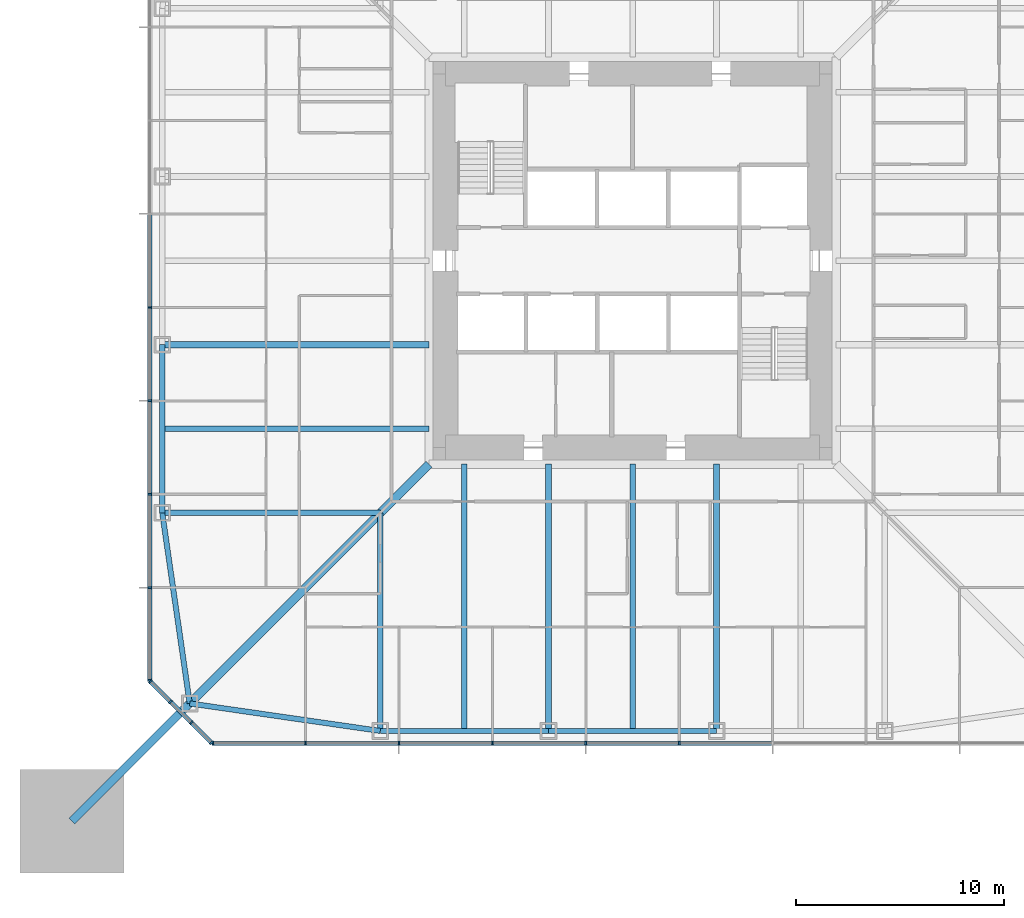
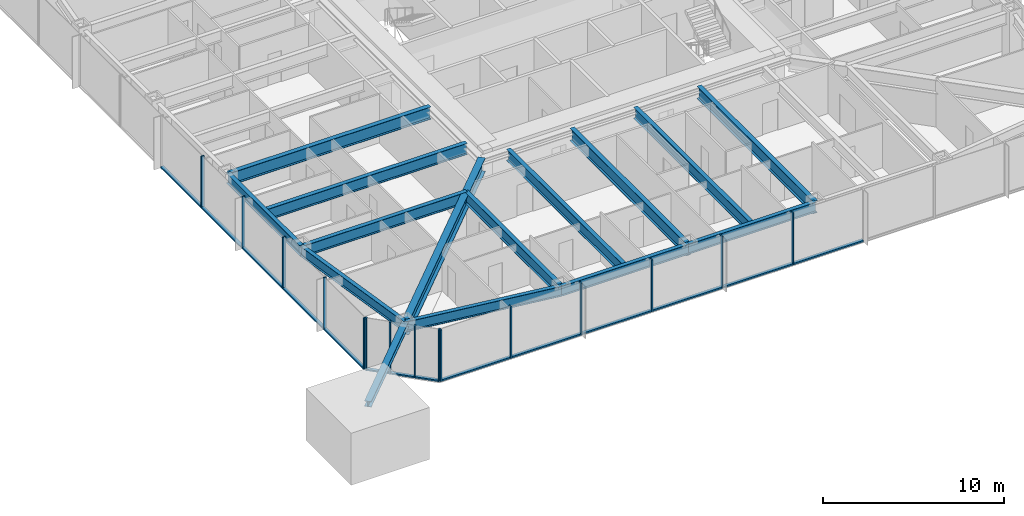
# One storey, part 3 of 26: 30 members, 14 beams, 3 elements without a shape of their own.
"""IFC4 building model written with IfcOpenShell, lengths in metres."""

from ifc_helpers import new_model, si_unit, direction, frame, origin, origin_2d, place, context, subcontext, project, spatial, rectangle, i_section, extrude, material, material_profile, profile_set, type_object, element, aggregate, save


model = new_model("IFC4")

# Units and contexts
model_context = context("Model", 3, precision=1e-05, world=origin(), true_north=direction((0.0, 1.0)))
body_context = subcontext(model_context, "Body", "Model", "MODEL_VIEW")
ifc_project = project(units=[si_unit("LENGTHUNIT", "METRE"), si_unit("AREAUNIT", "SQUARE_METRE"), si_unit("VOLUMEUNIT", "CUBIC_METRE"), si_unit("PLANEANGLEUNIT", "RADIAN"), si_unit("MASSUNIT", "GRAM", prefix="KILO")], contexts=[model_context])

# Site, building, storey
site_placement = place(None, origin())
site = spatial("IfcSite", under=ifc_project, at=site_placement, CompositionType="ELEMENT")
building_placement = place(site_placement, origin())
building = spatial("IfcBuilding", under=site, at=building_placement, Name="Iwan Alto Co-Living Towers", CompositionType="ELEMENT")
storey_placement = place(building_placement, frame((0.0, 0.0, 36.0)))
storey = spatial("IfcBuildingStorey", under=building, at=storey_placement, Name="L09", CompositionType="ELEMENT", Elevation=36.0)

# Curtain wall, members
ifc_material_1 = material(Name="Bronze aluminium unitised frame", Category="aluminium")
curtain_wall_type_1 = type_object("IfcCurtainWallType", Name="CURTAIN WALL CW-A", PredefinedType="NOTDEFINED", material=ifc_material_1)
curtain_wall_1_placement = place(storey_placement, origin())
curtain_wall_1 = element("IfcCurtainWall", 1, at=curtain_wall_1_placement, inside=storey, type_object=curtain_wall_type_1, Name="T1 curtain wall S L09", PredefinedType="NOTDEFINED")
ifc_material_2 = material(Name="Aluminium 6063-T6 bronze anodised", Category="aluminium")
ifc_material_profile_1 = material_profile(ifc_material_2, rectangle(XDim=0.199951171875, YDim=0.080078125, at=origin_2d()), Name="AL 80X200")
ifc_profile_set_1 = profile_set([ifc_material_profile_1], Name="Aluminium 6063-T6 bronze anodised")
member_type_1 = type_object("IfcMemberType", Name="CW-A MULLION 80X200", PredefinedType="MULLION", material=ifc_profile_set_1)
member_1_placement = place(storey_placement, frame((-20.2099609375, -23.25, 0.0), z_axis=(0.0, 0.0, 1.0), x_axis=(0.0, 1.0, 0.0)))
member_1 = element("IfcMember", 2, at=member_1_placement, type_object=member_type_1, Name="CW-A mullion 1", PredefinedType="MULLION", context=body_context, shape_type="SweptSolid", body=[
    extrude(rectangle(XDim=0.199951171875, YDim=0.080078125, at=origin_2d()), origin(), (0.0, 0.0, 1.0), 3.5),
])
member_2_placement = place(storey_placement, frame((-15.75, -23.25, 0.0), z_axis=(0.0, 0.0, 1.0), x_axis=(0.0, 1.0, 0.0)))
member_2 = element("IfcMember", 3, at=member_2_placement, type_object=member_type_1, Name="CW-A mullion 2", PredefinedType="MULLION", context=body_context, shape_type="SweptSolid", body=[
    extrude(rectangle(XDim=0.199951171875, YDim=0.080078125, at=origin_2d()), origin(), (0.0, 0.0, 1.0), 3.5),
])
member_3_placement = place(storey_placement, frame((-11.25, -23.25, 0.0), z_axis=(0.0, 0.0, 1.0), x_axis=(0.0, 1.0, 0.0)))
member_3 = element("IfcMember", 4, at=member_3_placement, type_object=member_type_1, Name="CW-A mullion 3", PredefinedType="MULLION", context=body_context, shape_type="SweptSolid", body=[
    extrude(rectangle(XDim=0.199951171875, YDim=0.080078125, at=origin_2d()), origin(), (0.0, 0.0, 1.0), 3.5),
])
member_4_placement = place(storey_placement, frame((-6.75, -23.25, 0.0), z_axis=(0.0, 0.0, 1.0), x_axis=(0.0, 1.0, 0.0)))
member_4 = element("IfcMember", 5, at=member_4_placement, type_object=member_type_1, Name="CW-A mullion 4", PredefinedType="MULLION", context=body_context, shape_type="SweptSolid", body=[
    extrude(rectangle(XDim=0.199951171875, YDim=0.080078125, at=origin_2d()), origin(), (0.0, 0.0, 1.0), 3.5),
])
member_5_placement = place(storey_placement, frame((-2.25, -23.25, 0.0), z_axis=(0.0, 0.0, 1.0), x_axis=(0.0, 1.0, 0.0)))
member_5 = element("IfcMember", 6, at=member_5_placement, type_object=member_type_1, Name="CW-A mullion 5", PredefinedType="MULLION", context=body_context, shape_type="SweptSolid", body=[
    extrude(rectangle(XDim=0.199951171875, YDim=0.080078125, at=origin_2d()), origin(), (0.0, 0.0, 1.0), 3.5),
])
member_6_placement = place(storey_placement, frame((2.25, -23.25, 0.0), z_axis=(0.0, 0.0, 1.0), x_axis=(0.0, 1.0, 0.0)))
member_6 = element("IfcMember", 7, at=member_6_placement, type_object=member_type_1, Name="CW-A mullion 6", PredefinedType="MULLION", context=body_context, shape_type="SweptSolid", body=[
    extrude(rectangle(XDim=0.199951171875, YDim=0.080078125, at=origin_2d()), origin(), (0.0, 0.0, 1.0), 3.5),
])

curtain_wall_2_placement = place(storey_placement, origin())
curtain_wall_2 = element("IfcCurtainWall", 8, at=curtain_wall_2_placement, inside=storey, type_object=curtain_wall_type_1, Name="T1 curtain wall W L09", PredefinedType="NOTDEFINED")
member_7_placement = place(storey_placement, frame((-23.25, -2.25, 0.0), z_axis=(0.0, 0.0, 1.0), x_axis=(1.0, 0.0, 0.0)))
member_7 = element("IfcMember", 9, at=member_7_placement, type_object=member_type_1, Name="CW-A mullion 6", PredefinedType="MULLION", context=body_context, shape_type="SweptSolid", body=[
    extrude(rectangle(XDim=0.199951171875, YDim=0.080078125, at=origin_2d()), origin(), (0.0, 0.0, 1.0), 3.5),
])
member_8_placement = place(storey_placement, frame((-23.25, -6.75, 0.0), z_axis=(0.0, 0.0, 1.0), x_axis=(1.0, 0.0, 0.0)))
member_8 = element("IfcMember", 10, at=member_8_placement, type_object=member_type_1, Name="CW-A mullion 7", PredefinedType="MULLION", context=body_context, shape_type="SweptSolid", body=[
    extrude(rectangle(XDim=0.199951171875, YDim=0.080078125, at=origin_2d()), origin(), (0.0, 0.0, 1.0), 3.5),
])
member_9_placement = place(storey_placement, frame((-23.25, -11.25, 0.0), z_axis=(0.0, 0.0, 1.0), x_axis=(1.0, 0.0, 0.0)))
member_9 = element("IfcMember", 11, at=member_9_placement, type_object=member_type_1, Name="CW-A mullion 8", PredefinedType="MULLION", context=body_context, shape_type="SweptSolid", body=[
    extrude(rectangle(XDim=0.199951171875, YDim=0.080078125, at=origin_2d()), origin(), (0.0, 0.0, 1.0), 3.5),
])
member_10_placement = place(storey_placement, frame((-23.25, -15.75, 0.0), z_axis=(0.0, 0.0, 1.0), x_axis=(1.0, 0.0, 0.0)))
member_10 = element("IfcMember", 12, at=member_10_placement, type_object=member_type_1, Name="CW-A mullion 9", PredefinedType="MULLION", context=body_context, shape_type="SweptSolid", body=[
    extrude(rectangle(XDim=0.199951171875, YDim=0.080078125, at=origin_2d()), origin(), (0.0, 0.0, 1.0), 3.5),
])
member_11_placement = place(storey_placement, frame((-23.25, -20.2099609375, 0.0), z_axis=(0.0, 0.0, 1.0), x_axis=(1.0, 0.0, 0.0)))
member_11 = element("IfcMember", 13, at=member_11_placement, type_object=member_type_1, Name="CW-A mullion 10", PredefinedType="MULLION", context=body_context, shape_type="SweptSolid", body=[
    extrude(rectangle(XDim=0.199951171875, YDim=0.080078125, at=origin_2d()), origin(), (0.0, 0.0, 1.0), 3.5),
])

# Member
ifc_material_3 = material(Name="Aluminium 6063-T6 bronze anodised", Category="aluminium")
ifc_material_profile_2 = material_profile(ifc_material_3, rectangle(XDim=0.199951171875, YDim=0.10009765625, at=origin_2d()), Name="AL 200X100")
ifc_profile_set_2 = profile_set([ifc_material_profile_2], Name="Aluminium 6063-T6 bronze anodised")
member_type_2 = type_object("IfcMemberType", Name="CW-A TRANSOM 200X100", PredefinedType="USERDEFINED", material=ifc_profile_set_2)
member_12_placement = place(storey_placement, frame((-20.169921875, -23.25, 0.050048828125), z_axis=(1.0, 0.0, 0.0), x_axis=(0.0, 1.0, 0.0)))
member_12 = element("IfcMember", 14, at=member_12_placement, type_object=member_type_2, Name="CW-A transom 1.1", ObjectType="TRANSOM", PredefinedType="USERDEFINED", context=body_context, shape_type="SweptSolid", body=[
    extrude(rectangle(XDim=0.199951171875, YDim=0.10009765625, at=origin_2d()), origin(), (0.0, 0.0, 1.0), 4.3798828125),
])

member_13_placement = place(storey_placement, frame((-15.7099609375, -23.25, 0.050048828125), z_axis=(1.0, 0.0, 0.0), x_axis=(0.0, 1.0, 0.0)))
member_13 = element("IfcMember", 15, at=member_13_placement, type_object=member_type_2, Name="CW-A transom 2.1", ObjectType="TRANSOM", PredefinedType="USERDEFINED", context=body_context, shape_type="SweptSolid", body=[
    extrude(rectangle(XDim=0.199951171875, YDim=0.10009765625, at=origin_2d()), origin(), (0.0, 0.0, 1.0), 4.419921875),
])

member_14_placement = place(storey_placement, frame((-11.2099609375, -23.25, 0.050048828125), z_axis=(1.0, 0.0, 0.0), x_axis=(0.0, 1.0, 0.0)))
member_14 = element("IfcMember", 16, at=member_14_placement, type_object=member_type_2, Name="CW-A transom 3.1", ObjectType="TRANSOM", PredefinedType="USERDEFINED", context=body_context, shape_type="SweptSolid", body=[
    extrude(rectangle(XDim=0.199951171875, YDim=0.10009765625, at=origin_2d()), origin(), (0.0, 0.0, 1.0), 4.419921875),
])

member_15_placement = place(storey_placement, frame((-6.7099609375, -23.25, 0.050048828125), z_axis=(1.0, 0.0, 0.0), x_axis=(0.0, 1.0, 0.0)))
member_15 = element("IfcMember", 17, at=member_15_placement, type_object=member_type_2, Name="CW-A transom 4.1", ObjectType="TRANSOM", PredefinedType="USERDEFINED", context=body_context, shape_type="SweptSolid", body=[
    extrude(rectangle(XDim=0.199951171875, YDim=0.10009765625, at=origin_2d()), origin(), (0.0, 0.0, 1.0), 4.419921875),
])

member_16_placement = place(storey_placement, frame((-2.2099609375, -23.25, 0.050048828125), z_axis=(1.0, 0.0, 0.0), x_axis=(0.0, 1.0, 0.0)))
member_16 = element("IfcMember", 18, at=member_16_placement, type_object=member_type_2, Name="CW-A transom 5.1", ObjectType="TRANSOM", PredefinedType="USERDEFINED", context=body_context, shape_type="SweptSolid", body=[
    extrude(rectangle(XDim=0.199951171875, YDim=0.10009765625, at=origin_2d()), origin(), (0.0, 0.0, 1.0), 4.419921875),
])

member_17_placement = place(storey_placement, frame((2.2900390625, -23.25, 0.050048828125), z_axis=(1.0, 0.0, 0.0), x_axis=(0.0, 1.0, 0.0)))
member_17 = element("IfcMember", 19, at=member_17_placement, type_object=member_type_2, Name="CW-A transom 6.1", ObjectType="TRANSOM", PredefinedType="USERDEFINED", context=body_context, shape_type="SweptSolid", body=[
    extrude(rectangle(XDim=0.199951171875, YDim=0.10009765625, at=origin_2d()), origin(), (0.0, 0.0, 1.0), 4.419921875),
])

aggregate(curtain_wall_1, [member_1, member_2, member_3, member_4, member_5, member_6, member_12, member_13, member_14, member_15, member_16, member_17])

member_18_placement = place(storey_placement, frame((-23.25, 2.2099609375, 0.050048828125), z_axis=(0.0, -1.0, 0.0), x_axis=(1.0, 0.0, 0.0)))
member_18 = element("IfcMember", 20, at=member_18_placement, type_object=member_type_2, Name="CW-A transom 5.1", ObjectType="TRANSOM", PredefinedType="USERDEFINED", context=body_context, shape_type="SweptSolid", body=[
    extrude(rectangle(XDim=0.199951171875, YDim=0.10009765625, at=origin_2d()), origin(), (0.0, 0.0, 1.0), 4.419921875),
])

member_19_placement = place(storey_placement, frame((-23.25, -2.2900390625, 0.050048828125), z_axis=(0.0, -1.0, 0.0), x_axis=(1.0, 0.0, 0.0)))
member_19 = element("IfcMember", 21, at=member_19_placement, type_object=member_type_2, Name="CW-A transom 6.1", ObjectType="TRANSOM", PredefinedType="USERDEFINED", context=body_context, shape_type="SweptSolid", body=[
    extrude(rectangle(XDim=0.199951171875, YDim=0.10009765625, at=origin_2d()), origin(), (0.0, 0.0, 1.0), 4.419921875),
])

member_20_placement = place(storey_placement, frame((-23.25, -6.7900390625, 0.050048828125), z_axis=(0.0, -1.0, 0.0), x_axis=(1.0, 0.0, 0.0)))
member_20 = element("IfcMember", 22, at=member_20_placement, type_object=member_type_2, Name="CW-A transom 7.1", ObjectType="TRANSOM", PredefinedType="USERDEFINED", context=body_context, shape_type="SweptSolid", body=[
    extrude(rectangle(XDim=0.199951171875, YDim=0.10009765625, at=origin_2d()), origin(), (0.0, 0.0, 1.0), 4.419921875),
])

member_21_placement = place(storey_placement, frame((-23.25, -11.2900390625, 0.050048828125), z_axis=(0.0, -1.0, 0.0), x_axis=(1.0, 0.0, 0.0)))
member_21 = element("IfcMember", 23, at=member_21_placement, type_object=member_type_2, Name="CW-A transom 8.1", ObjectType="TRANSOM", PredefinedType="USERDEFINED", context=body_context, shape_type="SweptSolid", body=[
    extrude(rectangle(XDim=0.199951171875, YDim=0.10009765625, at=origin_2d()), origin(), (0.0, 0.0, 1.0), 4.419921875),
])

member_22_placement = place(storey_placement, frame((-23.25, -15.7900390625, 0.050048828125), z_axis=(0.0, -1.0, 0.0), x_axis=(1.0, 0.0, 0.0)))
member_22 = element("IfcMember", 24, at=member_22_placement, type_object=member_type_2, Name="CW-A transom 9.1", ObjectType="TRANSOM", PredefinedType="USERDEFINED", context=body_context, shape_type="SweptSolid", body=[
    extrude(rectangle(XDim=0.199951171875, YDim=0.10009765625, at=origin_2d()), origin(), (0.0, 0.0, 1.0), 4.3798828125),
])

aggregate(curtain_wall_2, [member_7, member_8, member_9, member_10, member_11, member_18, member_19, member_20, member_21, member_22])

# Curtain wall, members
ifc_material_4 = material(Name="Bronze aluminium unitised frame", Category="aluminium")
curtain_wall_type_2 = type_object("IfcCurtainWallType", Name="CURTAIN WALL CW-B", PredefinedType="NOTDEFINED", material=ifc_material_4)
curtain_wall_3_placement = place(storey_placement, origin())
curtain_wall_3 = element("IfcCurtainWall", 25, at=curtain_wall_3_placement, inside=storey, type_object=curtain_wall_type_2, Name="T1 chamfer curtain wall SW L09", PredefinedType="NOTDEFINED")
ifc_material_5 = material(Name="Aluminium 6063-T6 bronze anodised", Category="aluminium")
ifc_material_profile_3 = material_profile(ifc_material_5, rectangle(XDim=0.199951171875, YDim=0.080078125, at=origin_2d()), Name="AL 80X200")
ifc_profile_set_3 = profile_set([ifc_material_profile_3], Name="Aluminium 6063-T6 bronze anodised")
member_type_3 = type_object("IfcMemberType", Name="CW-B MULLION 80X200", PredefinedType="MULLION", material=ifc_profile_set_3)
member_23_placement = place(storey_placement, frame((-23.2216796875, -20.2783203125, 0.0), z_axis=(0.0, 0.0, 1.0), x_axis=(0.707106781187, 0.707106781187, 0.0)))
member_23 = element("IfcMember", 26, at=member_23_placement, type_object=member_type_3, Name="CW-B mullion 1", PredefinedType="MULLION", context=body_context, shape_type="SweptSolid", body=[
    extrude(rectangle(XDim=0.199951171875, YDim=0.080078125, at=origin_2d()), origin(), (0.0, 0.0, 1.0), 3.5),
])
member_24_placement = place(storey_placement, frame((-22.25, -21.25, 0.0), z_axis=(0.0, 0.0, 1.0), x_axis=(0.707106781187, 0.707106781187, 0.0)))
member_24 = element("IfcMember", 27, at=member_24_placement, type_object=member_type_3, Name="CW-B mullion 2", PredefinedType="MULLION", context=body_context, shape_type="SweptSolid", body=[
    extrude(rectangle(XDim=0.199951171875, YDim=0.080078125, at=origin_2d()), origin(), (0.0, 0.0, 1.0), 3.5),
])
member_25_placement = place(storey_placement, frame((-21.25, -22.25, 0.0), z_axis=(0.0, 0.0, 1.0), x_axis=(0.707106781187, 0.707106781187, 0.0)))
member_25 = element("IfcMember", 28, at=member_25_placement, type_object=member_type_3, Name="CW-B mullion 3", PredefinedType="MULLION", context=body_context, shape_type="SweptSolid", body=[
    extrude(rectangle(XDim=0.199951171875, YDim=0.080078125, at=origin_2d()), origin(), (0.0, 0.0, 1.0), 3.5),
])
member_26_placement = place(storey_placement, frame((-20.2783203125, -23.2216796875, 0.0), z_axis=(0.0, 0.0, 1.0), x_axis=(0.707106781187, 0.707106781187, 0.0)))
member_26 = element("IfcMember", 29, at=member_26_placement, type_object=member_type_3, Name="CW-B mullion 4", PredefinedType="MULLION", context=body_context, shape_type="SweptSolid", body=[
    extrude(rectangle(XDim=0.199951171875, YDim=0.080078125, at=origin_2d()), origin(), (0.0, 0.0, 1.0), 3.5),
])
ifc_material_6 = material(Name="Aluminium 6063-T6 bronze anodised", Category="aluminium")
ifc_material_profile_4 = material_profile(ifc_material_6, rectangle(XDim=0.199951171875, YDim=0.10009765625, at=origin_2d()), Name="AL 200X100")
ifc_profile_set_4 = profile_set([ifc_material_profile_4], Name="Aluminium 6063-T6 bronze anodised")
member_type_4 = type_object("IfcMemberType", Name="CW-B TRANSOM 200X100", PredefinedType="USERDEFINED", material=ifc_profile_set_4)
member_27_placement = place(storey_placement, frame((-23.193359375, -20.306640625, 0.050048828125), z_axis=(0.707106781187, -0.707106781187, 0.0), x_axis=(0.707106781187, 0.707106781187, 0.0)))
member_27 = element("IfcMember", 30, at=member_27_placement, type_object=member_type_4, Name="CW-B transom 1.1", ObjectType="TRANSOM", PredefinedType="USERDEFINED", context=body_context, shape_type="SweptSolid", body=[
    extrude(rectangle(XDim=0.199951171875, YDim=0.10009765625, at=origin_2d()), origin(), (0.0, 0.0, 1.0), 1.2939453125),
])
member_28_placement = place(storey_placement, frame((-22.2216796875, -21.2783203125, 0.050048828125), z_axis=(0.707106781187, -0.707106781187, 0.0), x_axis=(0.707106781187, 0.707106781187, 0.0)))
member_28 = element("IfcMember", 31, at=member_28_placement, type_object=member_type_4, Name="CW-B transom 2.1", ObjectType="TRANSOM", PredefinedType="USERDEFINED", context=body_context, shape_type="SweptSolid", body=[
    extrude(rectangle(XDim=0.199951171875, YDim=0.10009765625, at=origin_2d()), origin(), (0.0, 0.0, 1.0), 1.334228515625),
])
member_29_placement = place(storey_placement, frame((-21.2216796875, -22.2783203125, 0.050048828125), z_axis=(0.707106781187, -0.707106781187, 0.0), x_axis=(0.707106781187, 0.707106781187, 0.0)))
member_29 = element("IfcMember", 32, at=member_29_placement, type_object=member_type_4, Name="CW-B transom 3.1", ObjectType="TRANSOM", PredefinedType="USERDEFINED", context=body_context, shape_type="SweptSolid", body=[
    extrude(rectangle(XDim=0.199951171875, YDim=0.10009765625, at=origin_2d()), origin(), (0.0, 0.0, 1.0), 1.2939453125),
])
aggregate(curtain_wall_3, [member_23, member_24, member_25, member_26, member_27, member_28, member_29])

# Beams
ifc_material_7 = material(Name="Steel ASTM A992 Gr 50", Category="steel")
ifc_material_profile_5 = material_profile(ifc_material_7, i_section(OverallWidth=0.419189453125, OverallDepth=0.927001953125, WebThickness=0.019287109375, FlangeThickness=0.031982421875, at=origin_2d()), Name="W36X231")
ifc_profile_set_5 = profile_set([ifc_material_profile_5], Name="Steel ASTM A992 Gr 50")
beam_type_1 = type_object("IfcBeamType", Name="T1 CORNER GIRDER W36X231", PredefinedType="BEAM", material=ifc_profile_set_5)
beam_1_placement = place(storey_placement, frame((-21.32568359375, -21.32568359375, 2.806396484375), z_axis=(0.707106781187, 0.707106781187, 0.0), x_axis=(-0.707106781187, 0.707106781187, 0.0)))
element("IfcBeam", 33, at=beam_1_placement, inside=storey, type_object=beam_type_1, Name="T1 corner girder CSW L10", PredefinedType="BEAM", context=body_context, shape_type="SweptSolid", body=[
    extrude(i_section(OverallWidth=0.419189453125, OverallDepth=0.927001953125, WebThickness=0.019287109375, FlangeThickness=0.031982421875, at=origin_2d()), origin(), (0.0, 0.0, 1.0), 16.296875),
])
ifc_material_8 = material(Name="Steel ASTM A992 Gr 50", Category="steel")
ifc_material_profile_6 = material_profile(ifc_material_8, i_section(OverallWidth=0.25390625, OverallDepth=0.683349609375, WebThickness=0.012451171875, FlangeThickness=0.018798828125, at=origin_2d()), Name="W27X94")
ifc_profile_set_6 = profile_set([ifc_material_profile_6], Name="Steel ASTM A992 Gr 50")
beam_type_2 = type_object("IfcBeamType", Name="T1 EDGE BEAM W27X94", PredefinedType="BEAM", material=ifc_profile_set_6)
beam_2_placement = place(storey_placement, frame((-21.32568359375, -21.32568359375, 2.928466796875), z_axis=(0.989746234347, -0.142836940589, 0.0), x_axis=(0.142836940589, 0.989746234347, 0.0)))
element("IfcBeam", 34, at=beam_2_placement, inside=storey, type_object=beam_type_2, Name="T1 edge beam CSW L10", PredefinedType="BEAM", context=body_context, shape_type="SweptSolid", body=[
    extrude(i_section(OverallWidth=0.25390625, OverallDepth=0.683349609375, WebThickness=0.012451171875, FlangeThickness=0.018798828125, at=origin_2d()), origin(), (0.0, 0.0, 1.0), 9.270751953125),
])
beam_3_placement = place(storey_placement, frame((-12.14990234375, -22.64990234375, 2.928466796875), z_axis=(1.0, 0.0, 0.0), x_axis=(0.0, 1.0, 0.0)))
element("IfcBeam", 35, at=beam_3_placement, inside=storey, type_object=beam_type_2, Name="T1 edge beam S1 L10", PredefinedType="BEAM", context=body_context, shape_type="SweptSolid", body=[
    extrude(i_section(OverallWidth=0.25390625, OverallDepth=0.683349609375, WebThickness=0.012451171875, FlangeThickness=0.018798828125, at=origin_2d()), origin(), (0.0, 0.0, 1.0), 8.099853515625),
])
beam_4_placement = place(storey_placement, frame((-4.050048828125, -22.64990234375, 2.928466796875), z_axis=(1.0, 0.0, 0.0), x_axis=(0.0, 1.0, 0.0)))
element("IfcBeam", 36, at=beam_4_placement, inside=storey, type_object=beam_type_2, Name="T1 edge beam S2 L10", PredefinedType="BEAM", context=body_context, shape_type="SweptSolid", body=[
    extrude(i_section(OverallWidth=0.25390625, OverallDepth=0.683349609375, WebThickness=0.012451171875, FlangeThickness=0.018798828125, at=origin_2d()), origin(), (0.0, 0.0, 1.0), 8.10009765625),
])
beam_5_placement = place(storey_placement, frame((-22.64990234375, -4.050048828125, 2.928466796875), z_axis=(0.0, -1.0, 0.0), x_axis=(1.0, 0.0, 0.0)))
element("IfcBeam", 37, at=beam_5_placement, inside=storey, type_object=beam_type_2, Name="T1 edge beam W3 L10", PredefinedType="BEAM", context=body_context, shape_type="SweptSolid", body=[
    extrude(i_section(OverallWidth=0.25390625, OverallDepth=0.683349609375, WebThickness=0.012451171875, FlangeThickness=0.018798828125, at=origin_2d()), origin(), (0.0, 0.0, 1.0), 8.099853515625),
])
beam_6_placement = place(storey_placement, frame((-22.64990234375, -12.14990234375, 2.928466796875), z_axis=(0.142836940589, -0.989746234347, 0.0), x_axis=(0.989746234347, 0.142836940589, 0.0)))
element("IfcBeam", 38, at=beam_6_placement, inside=storey, type_object=beam_type_2, Name="T1 edge beam W4 L10", PredefinedType="BEAM", context=body_context, shape_type="SweptSolid", body=[
    extrude(i_section(OverallWidth=0.25390625, OverallDepth=0.683349609375, WebThickness=0.012451171875, FlangeThickness=0.018798828125, at=origin_2d()), origin(), (0.0, 0.0, 1.0), 9.270751953125),
])

# Member
ifc_material_9 = material(Name="Steel ASTM A992 Gr 50", Category="steel")
ifc_material_profile_7 = material_profile(ifc_material_9, i_section(OverallWidth=0.393798828125, OverallDepth=0.3759765625, WebThickness=0.017333984375, FlangeThickness=0.027587890625, at=origin_2d()), Name="W14X145")
ifc_profile_set_7 = profile_set([ifc_material_profile_7], Name="Steel ASTM A992 Gr 50")
member_type_5 = type_object("IfcMemberType", Name="T1 MEGA COLUMN FLOOR TIE W14X145", PredefinedType="STRUT", material=ifc_profile_set_7)
member_30_placement = place(storey_placement, frame((-27.0, -27.0, 3.08203125), z_axis=(0.707106781187, 0.707106781187, 0.0), x_axis=(-0.707106781187, 0.707106781187, 0.0)))
element("IfcMember", 39, at=member_30_placement, inside=storey, type_object=member_type_5, Name="T1 mega column floor tie SW L10", PredefinedType="STRUT", context=body_context, shape_type="SweptSolid", body=[
    extrude(i_section(OverallWidth=0.393798828125, OverallDepth=0.3759765625, WebThickness=0.017333984375, FlangeThickness=0.027587890625, at=origin_2d()), origin(), (0.0, 0.0, 1.0), 8.024658203125),
])

# Beams
ifc_material_10 = material(Name="Steel ASTM A992 Gr 50", Category="steel")
ifc_material_profile_8 = material_profile(ifc_material_10, i_section(OverallWidth=0.2666015625, OverallDepth=0.761962890625, WebThickness=0.014404296875, FlangeThickness=0.021484375, at=origin_2d()), Name="W30X116")
ifc_profile_set_8 = profile_set([ifc_material_profile_8], Name="Steel ASTM A992 Gr 50")
beam_type_3 = type_object("IfcBeamType", Name="T1 RADIAL BEAM W30X116", PredefinedType="BEAM", material=ifc_profile_set_8)
for number, where, z_axis, x_axis, name in (
    (40, (-12.14990234375, -22.64990234375, 2.888916015625), (0.0, 1.0, 0.0), (-1.0, 0.0, 0.0), "T1 radial beam S1 L10"),
    (41, (-22.64990234375, -12.14990234375, 2.888916015625), (1.0, 0.0, 0.0), (0.0, 1.0, 0.0), "T1 radial beam W4 L10"),
):
    element("IfcBeam", number, at=place(storey_placement, frame(where, z_axis=z_axis, x_axis=x_axis)), inside=storey, type_object=beam_type_3, Name=name, PredefinedType="BEAM", context=body_context, shape_type="SweptSolid", body=[
        extrude(i_section(OverallWidth=0.2666015625, OverallDepth=0.761962890625, WebThickness=0.014404296875, FlangeThickness=0.021484375, at=origin_2d()), origin(), (0.0, 0.0, 1.0), 10.5),
    ])
ifc_material_11 = material(Name="Steel ASTM A992 Gr 50", Category="steel")
ifc_material_profile_9 = material_profile(ifc_material_11, i_section(OverallWidth=0.2919921875, OverallDepth=0.8408203125, WebThickness=0.0146484375, FlangeThickness=0.021728515625, at=origin_2d()), Name="W33X130")
ifc_profile_set_9 = profile_set([ifc_material_profile_9], Name="Steel ASTM A992 Gr 50")
beam_type_4 = type_object("IfcBeamType", Name="T1 RADIAL BEAM W33X130", PredefinedType="BEAM", material=ifc_profile_set_9)
for number, where, z_axis, x_axis, name in (
    (42, (-4.050048828125, -22.64990234375, 2.849609375), (0.0, 1.0, 0.0), (-1.0, 0.0, 0.0), "T1 radial beam S2 L10"),
    (43, (4.050048828125, -22.64990234375, 2.849609375), (0.0, 1.0, 0.0), (-1.0, 0.0, 0.0), "T1 radial beam S3 L10"),
    (44, (-22.64990234375, -4.050048828125, 2.849609375), (1.0, 0.0, 0.0), (0.0, 1.0, 0.0), "T1 radial beam W3 L10"),
):
    element("IfcBeam", number, at=place(storey_placement, frame(where, z_axis=z_axis, x_axis=x_axis)), inside=storey, type_object=beam_type_4, Name=name, PredefinedType="BEAM", context=body_context, shape_type="SweptSolid", body=[
        extrude(i_section(OverallWidth=0.2919921875, OverallDepth=0.8408203125, WebThickness=0.0146484375, FlangeThickness=0.021728515625, at=origin_2d()), origin(), (0.0, 0.0, 1.0), 12.847900390625),
    ])
ifc_material_12 = material(Name="Steel ASTM A992 Gr 50", Category="steel")
ifc_material_profile_10 = material_profile(ifc_material_12, i_section(OverallWidth=0.2666015625, OverallDepth=0.761962890625, WebThickness=0.014404296875, FlangeThickness=0.021484375, at=origin_2d()), Name="W30X116")
ifc_profile_set_10 = profile_set([ifc_material_profile_10], Name="Steel ASTM A992 Gr 50")
beam_type_5 = type_object("IfcBeamType", Name="T1 SECONDARY BEAM W30X116", PredefinedType="JOIST", material=ifc_profile_set_10)
for number, where, z_axis, x_axis, name in (
    (45, (-8.10009765625, -22.64990234375, 2.888916015625), (0.0, 1.0, 0.0), (-1.0, 0.0, 0.0), "T1 secondary beam S1 L10"),
    (46, (0.0, -22.64990234375, 2.888916015625), (0.0, 1.0, 0.0), (-1.0, 0.0, 0.0), "T1 secondary beam S2 L10"),
    (47, (-22.64990234375, -8.10009765625, 2.888916015625), (1.0, 0.0, 0.0), (0.0, 1.0, 0.0), "T1 secondary beam W3 L10"),
):
    element("IfcBeam", number, at=place(storey_placement, frame(where, z_axis=z_axis, x_axis=x_axis)), inside=storey, type_object=beam_type_5, Name=name, PredefinedType="JOIST", context=body_context, shape_type="SweptSolid", body=[
        extrude(i_section(OverallWidth=0.2666015625, OverallDepth=0.761962890625, WebThickness=0.014404296875, FlangeThickness=0.021484375, at=origin_2d()), origin(), (0.0, 0.0, 1.0), 12.847900390625),
    ])

save(model, "model.ifc")
